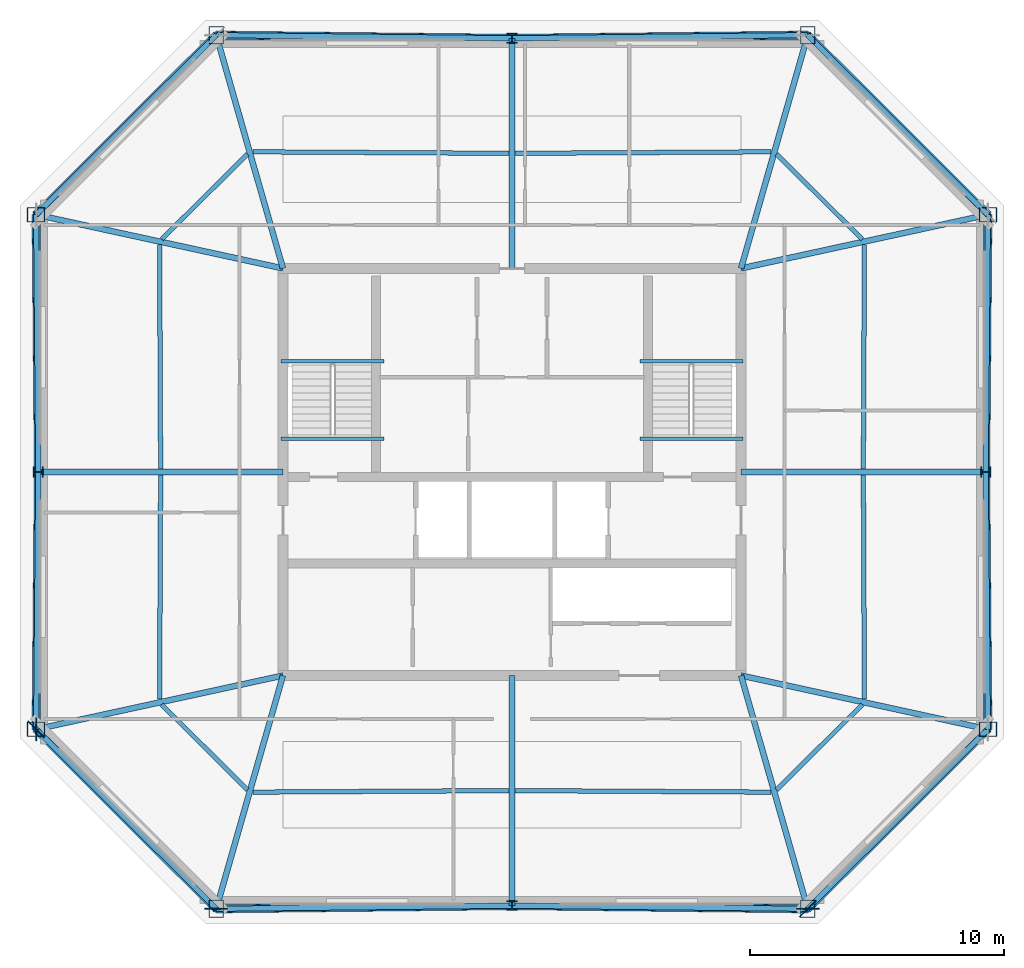
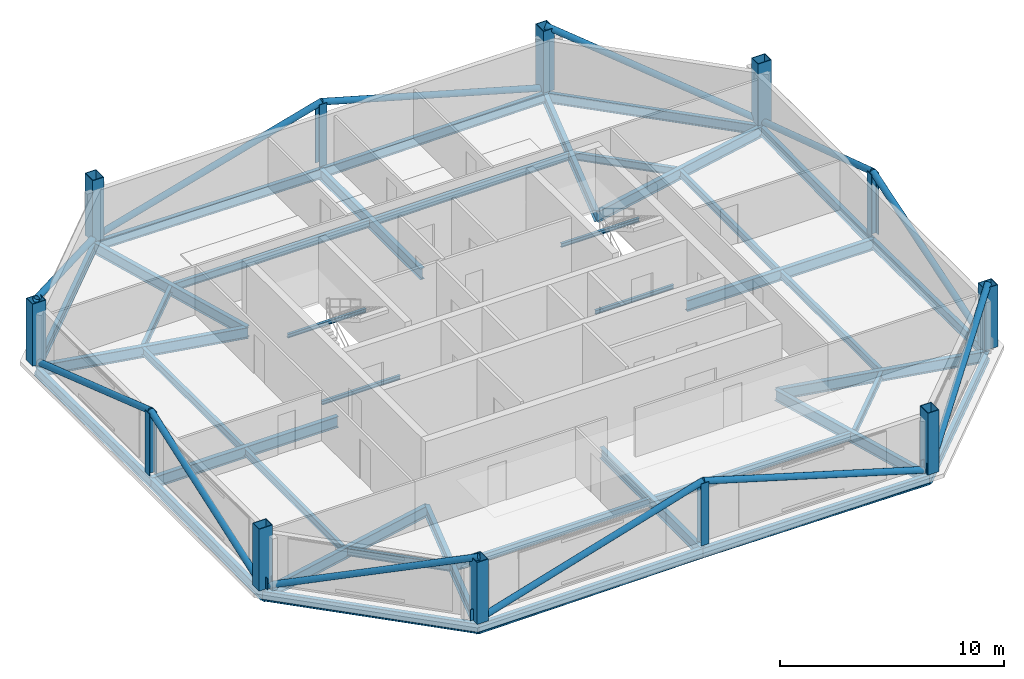
# One storey, part 1 of 6: 40 beams, 12 columns, 12 members, 5 plates.
"""IFC4 building model written with IfcOpenShell, lengths in metres."""

from ifc_helpers import new_model, si_unit, direction, frame, origin, origin_2d, place, context, subcontext, project, spatial, rectangle, hollow_rectangle, hollow_circle, i_section, extrude, material, layer, layer_set, material_profile, profile_set, type_object, element, save


model = new_model("IFC4")

# Units and contexts
model_context = context("Model", 3, precision=1e-05, world=origin(), true_north=direction((0.0, 1.0)))
body_context = subcontext(model_context, "Body", "Model", "MODEL_VIEW")
ifc_project = project(units=[si_unit("LENGTHUNIT", "METRE"), si_unit("AREAUNIT", "SQUARE_METRE"), si_unit("VOLUMEUNIT", "CUBIC_METRE"), si_unit("PLANEANGLEUNIT", "RADIAN"), si_unit("MASSUNIT", "GRAM", prefix="KILO")], contexts=[model_context])

# Site, building, storey
site_placement = place(None, origin())
site = spatial("IfcSite", under=ifc_project, at=site_placement, CompositionType="ELEMENT")
building_placement = place(site_placement, origin())
building = spatial("IfcBuilding", under=site, at=building_placement, Name="Caelvoria Tower", CompositionType="ELEMENT")
storey_placement = place(building_placement, frame((0.0, 0.0, 250.199951171875)))
storey = spatial("IfcBuildingStorey", under=building, at=storey_placement, Name="L66", CompositionType="ELEMENT", Elevation=250.199951171875)

# Columns
ifc_material_1 = material(Name="Structural Steel ASTM A572 Gr.50", Category="steel")
ifc_material_profile_1 = material_profile(ifc_material_1, hollow_rectangle(XDim=0.580078125, YDim=0.699951171875, WallThickness=0.031982421875, at=origin_2d()), Name="Structural Steel ASTM A572 Gr.50")
ifc_profile_set_1 = profile_set([ifc_material_profile_1], Name="BOX700X580X32 - Structural Steel ASTM A572 Gr.50")
column_type_1 = type_object("IfcColumnType", Name="Mega Box Column 700x580x32", PredefinedType="COLUMN", material=ifc_profile_set_1)
for number, where, z_axis, x_axis, name in (
    (1, (34.37646484375, 14.83251953125, 0.0), (0.0, 0.0, 1.0), (1.0, 0.0, 0.0), "Perimeter Megaframe Column L66-P00"),
    (2, (57.62353515625, 14.83251953125, 0.0), (0.0, 0.0, 1.0), (1.0, 0.0, 0.0), "Perimeter Megaframe Column L66-P02"),
    (3, (64.702880859375, 21.887939453125, 0.0), (0.0, 0.0, 1.0), (0.0, 1.0, 0.0), "Perimeter Megaframe Column L66-P03"),
    (4, (64.702880859375, 42.112060546875, 0.0), (0.0, 0.0, 1.0), (0.0, 1.0, 0.0), "Perimeter Megaframe Column L66-P05"),
    (5, (57.62353515625, 49.16748046875, 0.0), (0.0, 0.0, 1.0), (1.0, 0.0, 0.0), "Perimeter Megaframe Column L66-P06"),
    (6, (34.37646484375, 49.16748046875, 0.0), (0.0, 0.0, 1.0), (1.0, 0.0, 0.0), "Perimeter Megaframe Column L66-P08"),
    (7, (27.297119140625, 42.112060546875, 0.0), (0.0, 0.0, 1.0), (0.0, 1.0, 0.0), "Perimeter Megaframe Column L66-P09"),
    (8, (27.297119140625, 21.887939453125, 0.0), (0.0, 0.0, 1.0), (0.0, 1.0, 0.0), "Perimeter Megaframe Column L66-P11"),
):
    element("IfcColumn", number, at=place(storey_placement, frame(where, z_axis=z_axis, x_axis=x_axis)), inside=storey, type_object=column_type_1, Name=name, PredefinedType="COLUMN", context=body_context, shape_type="SweptSolid", body=[
        extrude(hollow_rectangle(XDim=0.580078125, YDim=0.699951171875, WallThickness=0.031982421875, at=origin_2d()), origin(), (0.0, 0.0, 1.0), 3.373046875),
    ])
ifc_material_2 = material(Name="Structural Steel ASTM A992 Gr.50", Category="steel")
ifc_material_profile_2 = material_profile(ifc_material_2, i_section(OverallWidth=0.39501953125, OverallDepth=0.3798828125, WebThickness=0.018798828125, FlangeThickness=0.0302734375, FilletRadius=0.02490234375, at=origin_2d()), Name="Structural Steel ASTM A992 Gr.50")
ifc_profile_set_2 = profile_set([ifc_material_profile_2], Name="W360X237 - Structural Steel ASTM A992 Gr.50")
column_type_2 = type_object("IfcColumnType", Name="Summit Frame Column W360X237", PredefinedType="COLUMN", material=ifc_profile_set_2)
for number, where, z_axis, x_axis, name in (
    (9, (46.0, 14.956298828125, 0.0), (0.0, 0.0, 1.0), (1.0, 0.0, 0.0), "Perimeter Megaframe Column L66-P01"),
    (10, (64.616455078125, 32.0, 0.0), (0.0, 0.0, 1.0), (0.0, 1.0, 0.0), "Perimeter Megaframe Column L66-P04"),
    (11, (46.0, 49.043701171875, 0.0), (0.0, 0.0, 1.0), (1.0, 0.0, 0.0), "Perimeter Megaframe Column L66-P07"),
    (12, (27.383544921875, 32.0, 0.0), (0.0, 0.0, 1.0), (0.0, 1.0, 0.0), "Perimeter Megaframe Column L66-P10"),
):
    element("IfcColumn", number, at=place(storey_placement, frame(where, z_axis=z_axis, x_axis=x_axis)), inside=storey, type_object=column_type_2, Name=name, PredefinedType="COLUMN", context=body_context, shape_type="SweptSolid", body=[
        extrude(i_section(OverallWidth=0.39501953125, OverallDepth=0.3798828125, WebThickness=0.018798828125, FlangeThickness=0.0302734375, FilletRadius=0.02490234375, at=origin_2d()), origin(), (0.0, 0.0, 1.0), 3.373046875),
    ])

# Beams
ifc_material_profile_3 = material_profile(ifc_material_2, i_section(OverallWidth=0.134033203125, OverallDepth=0.2099609375, WebThickness=0.00634765625, FlangeThickness=0.01025390625, FilletRadius=0.010009765625, at=origin_2d()), Name="Structural Steel ASTM A992 Gr.50")
ifc_profile_set_3 = profile_set([ifc_material_profile_3], Name="W200X31.3 - Structural Steel ASTM A992 Gr.50")
beam_type_1 = type_object("IfcBeamType", Name="Canopy Edge Trim Beam W200X31.3", PredefinedType="BEAM", material=ifc_profile_set_3)
for number, where, z_axis, x_axis, name in (
    (13, (36.929931640625, 36.35009765625, 1.4951171875), (1.0, 0.0, 0.0), (0.0, 1.0, 0.0), "ST-01 Half-Landing Support Beam L66"),
    (14, (36.929931640625, 33.300048828125, -0.304931640625), (1.0, 0.0, 0.0), (0.0, 1.0, 0.0), "ST-01 Floor-Landing Support Beam L66"),
    (15, (51.030029296875, 36.35009765625, 1.4951171875), (1.0, 0.0, 0.0), (0.0, 1.0, 0.0), "ST-02 Half-Landing Support Beam L66"),
    (16, (51.030029296875, 33.300048828125, -0.304931640625), (1.0, 0.0, 0.0), (0.0, 1.0, 0.0), "ST-02 Floor-Landing Support Beam L66"),
):
    element("IfcBeam", number, at=place(storey_placement, frame(where, z_axis=z_axis, x_axis=x_axis)), inside=storey, type_object=beam_type_1, Name=name, PredefinedType="BEAM", context=body_context, shape_type="SweptSolid", body=[
        extrude(i_section(OverallWidth=0.134033203125, OverallDepth=0.2099609375, WebThickness=0.00634765625, FlangeThickness=0.01025390625, FilletRadius=0.010009765625, at=origin_2d()), origin(), (0.0, 0.0, 1.0), 4.0400390625),
    ])
ifc_material_profile_4 = material_profile(ifc_material_2, i_section(OverallWidth=0.22802734375, OverallDepth=0.60302734375, WebThickness=0.010498046875, FlangeThickness=0.014892578125, FilletRadius=0.01806640625, at=origin_2d()), Name="Structural Steel ASTM A992 Gr.50")
ifc_profile_set_4 = profile_set([ifc_material_profile_4], Name="W610X101 - Structural Steel ASTM A992 Gr.50")
beam_type_2 = type_object("IfcBeamType", Name="Primary Floor Girder W610X101", PredefinedType="BEAM", material=ifc_profile_set_4)
beam_1_placement = place(storey_placement, frame((37.0, 24.0, -0.5263671875), z_axis=(-0.275133654786, -0.961405987086, 0.0), x_axis=(0.961405987086, -0.275133654786, 0.0)))
element("IfcBeam", 17, at=beam_1_placement, inside=storey, type_object=beam_type_2, Name="Primary Floor Girder L66-00", PredefinedType="BEAM", context=body_context, shape_type="SweptSolid", body=[
    extrude(i_section(OverallWidth=0.22802734375, OverallDepth=0.60302734375, WebThickness=0.010498046875, FlangeThickness=0.014892578125, FilletRadius=0.01806640625, at=origin_2d()), origin(), (0.0, 0.0, 1.0), 9.535400390625),
])
beam_2_placement = place(storey_placement, frame((46.0, 24.0, -0.5263671875), z_axis=(0.0, -1.0, 0.0), x_axis=(1.0, 0.0, 0.0)))
element("IfcBeam", 18, at=beam_2_placement, inside=storey, type_object=beam_type_2, Name="Primary Floor Girder L66-01", PredefinedType="BEAM", context=body_context, shape_type="SweptSolid", body=[
    extrude(i_section(OverallWidth=0.22802734375, OverallDepth=0.60302734375, WebThickness=0.010498046875, FlangeThickness=0.014892578125, FilletRadius=0.01806640625, at=origin_2d()), origin(), (0.0, 0.0, 1.0), 9.043701171875),
])
beam_3_placement = place(storey_placement, frame((55.0, 24.0, -0.5263671875), z_axis=(0.275133654786, -0.961405987086, 0.0), x_axis=(0.961405987086, 0.275133654786, 0.0)))
element("IfcBeam", 19, at=beam_3_placement, inside=storey, type_object=beam_type_2, Name="Primary Floor Girder L66-02", PredefinedType="BEAM", context=body_context, shape_type="SweptSolid", body=[
    extrude(i_section(OverallWidth=0.22802734375, OverallDepth=0.60302734375, WebThickness=0.010498046875, FlangeThickness=0.014892578125, FilletRadius=0.01806640625, at=origin_2d()), origin(), (0.0, 0.0, 1.0), 9.535400390625),
])
beam_4_placement = place(storey_placement, frame((55.0, 24.0, -0.5263671875), z_axis=(0.977119079584, -0.212692981342, 0.0), x_axis=(0.212692981342, 0.977119079584, 0.0)))
element("IfcBeam", 20, at=beam_4_placement, inside=storey, type_object=beam_type_2, Name="Primary Floor Girder L66-03", PredefinedType="BEAM", context=body_context, shape_type="SweptSolid", body=[
    extrude(i_section(OverallWidth=0.22802734375, OverallDepth=0.60302734375, WebThickness=0.010498046875, FlangeThickness=0.014892578125, FilletRadius=0.01806640625, at=origin_2d()), origin(), (0.0, 0.0, 1.0), 9.93017578125),
])
beam_5_placement = place(storey_placement, frame((55.0, 32.0, -0.5263671875), z_axis=(1.0, 0.0, 0.0), x_axis=(0.0, 1.0, 0.0)))
element("IfcBeam", 21, at=beam_5_placement, inside=storey, type_object=beam_type_2, Name="Primary Floor Girder L66-04", PredefinedType="BEAM", context=body_context, shape_type="SweptSolid", body=[
    extrude(i_section(OverallWidth=0.22802734375, OverallDepth=0.60302734375, WebThickness=0.010498046875, FlangeThickness=0.014892578125, FilletRadius=0.01806640625, at=origin_2d()), origin(), (0.0, 0.0, 1.0), 9.616455078125),
])
beam_6_placement = place(storey_placement, frame((55.0, 40.0, -0.5263671875), z_axis=(0.977119079584, 0.212692981342, 0.0), x_axis=(-0.212692981342, 0.977119079584, 0.0)))
element("IfcBeam", 22, at=beam_6_placement, inside=storey, type_object=beam_type_2, Name="Primary Floor Girder L66-05", PredefinedType="BEAM", context=body_context, shape_type="SweptSolid", body=[
    extrude(i_section(OverallWidth=0.22802734375, OverallDepth=0.60302734375, WebThickness=0.010498046875, FlangeThickness=0.014892578125, FilletRadius=0.01806640625, at=origin_2d()), origin(), (0.0, 0.0, 1.0), 9.93017578125),
])
beam_7_placement = place(storey_placement, frame((55.0, 40.0, -0.5263671875), z_axis=(0.275133654786, 0.961405987086, 0.0), x_axis=(-0.961405987086, 0.275133654786, 0.0)))
element("IfcBeam", 23, at=beam_7_placement, inside=storey, type_object=beam_type_2, Name="Primary Floor Girder L66-06", PredefinedType="BEAM", context=body_context, shape_type="SweptSolid", body=[
    extrude(i_section(OverallWidth=0.22802734375, OverallDepth=0.60302734375, WebThickness=0.010498046875, FlangeThickness=0.014892578125, FilletRadius=0.01806640625, at=origin_2d()), origin(), (0.0, 0.0, 1.0), 9.535400390625),
])
beam_8_placement = place(storey_placement, frame((46.0, 40.0, -0.5263671875), z_axis=(0.0, 1.0, 0.0), x_axis=(-1.0, 0.0, 0.0)))
element("IfcBeam", 24, at=beam_8_placement, inside=storey, type_object=beam_type_2, Name="Primary Floor Girder L66-07", PredefinedType="BEAM", context=body_context, shape_type="SweptSolid", body=[
    extrude(i_section(OverallWidth=0.22802734375, OverallDepth=0.60302734375, WebThickness=0.010498046875, FlangeThickness=0.014892578125, FilletRadius=0.01806640625, at=origin_2d()), origin(), (0.0, 0.0, 1.0), 9.043701171875),
])
beam_9_placement = place(storey_placement, frame((37.0, 40.0, -0.5263671875), z_axis=(-0.275133654786, 0.961405987086, 0.0), x_axis=(-0.961405987086, -0.275133654786, 0.0)))
element("IfcBeam", 25, at=beam_9_placement, inside=storey, type_object=beam_type_2, Name="Primary Floor Girder L66-08", PredefinedType="BEAM", context=body_context, shape_type="SweptSolid", body=[
    extrude(i_section(OverallWidth=0.22802734375, OverallDepth=0.60302734375, WebThickness=0.010498046875, FlangeThickness=0.014892578125, FilletRadius=0.01806640625, at=origin_2d()), origin(), (0.0, 0.0, 1.0), 9.535400390625),
])
beam_10_placement = place(storey_placement, frame((37.0, 40.0, -0.5263671875), z_axis=(-0.977119079584, 0.212692981342, 0.0), x_axis=(-0.212692981342, -0.977119079584, 0.0)))
element("IfcBeam", 26, at=beam_10_placement, inside=storey, type_object=beam_type_2, Name="Primary Floor Girder L66-09", PredefinedType="BEAM", context=body_context, shape_type="SweptSolid", body=[
    extrude(i_section(OverallWidth=0.22802734375, OverallDepth=0.60302734375, WebThickness=0.010498046875, FlangeThickness=0.014892578125, FilletRadius=0.01806640625, at=origin_2d()), origin(), (0.0, 0.0, 1.0), 9.93017578125),
])
beam_11_placement = place(storey_placement, frame((37.0, 32.0, -0.5263671875), z_axis=(-1.0, 0.0, 0.0), x_axis=(0.0, -1.0, 0.0)))
element("IfcBeam", 27, at=beam_11_placement, inside=storey, type_object=beam_type_2, Name="Primary Floor Girder L66-10", PredefinedType="BEAM", context=body_context, shape_type="SweptSolid", body=[
    extrude(i_section(OverallWidth=0.22802734375, OverallDepth=0.60302734375, WebThickness=0.010498046875, FlangeThickness=0.014892578125, FilletRadius=0.01806640625, at=origin_2d()), origin(), (0.0, 0.0, 1.0), 9.616455078125),
])
beam_12_placement = place(storey_placement, frame((37.0, 24.0, -0.5263671875), z_axis=(-0.977119079584, -0.212692981342, 0.0), x_axis=(0.212692981342, -0.977119079584, 0.0)))
element("IfcBeam", 28, at=beam_12_placement, inside=storey, type_object=beam_type_2, Name="Primary Floor Girder L66-11", PredefinedType="BEAM", context=body_context, shape_type="SweptSolid", body=[
    extrude(i_section(OverallWidth=0.22802734375, OverallDepth=0.60302734375, WebThickness=0.010498046875, FlangeThickness=0.014892578125, FilletRadius=0.01806640625, at=origin_2d()), origin(), (0.0, 0.0, 1.0), 9.93017578125),
])
ifc_material_profile_5 = material_profile(ifc_material_2, i_section(OverallWidth=0.177978515625, OverallDepth=0.406982421875, WebThickness=0.0078125, FlangeThickness=0.0126953125, FilletRadius=0.013916015625, at=origin_2d()), Name="Structural Steel ASTM A992 Gr.50")
ifc_profile_set_5 = profile_set([ifc_material_profile_5], Name="W410X60 - Structural Steel ASTM A992 Gr.50")
beam_type_3 = type_object("IfcBeamType", Name="Secondary Floor Beam W410X60", PredefinedType="BEAM", material=ifc_profile_set_5)
for number, where, z_axis, x_axis, name in (
    (29, (35.813232421875, 19.4169921875, -0.428466796875), (0.999982040934, 0.005993146922, 0.0), (-0.005993146922, 0.999982040934, 0.0), "Secondary Floor Beam L66-00"),
    (30, (46.125, 19.477294921875, -0.428466796875), (0.999982040934, -0.005993146922, 0.0), (0.005993146922, 0.999982040934, 0.0), "Secondary Floor Beam L66-01"),
):
    element("IfcBeam", number, at=place(storey_placement, frame(where, z_axis=z_axis, x_axis=x_axis)), inside=storey, type_object=beam_type_3, Name=name, PredefinedType="BEAM", context=body_context, shape_type="SweptSolid", body=[
        extrude(i_section(OverallWidth=0.177978515625, OverallDepth=0.406982421875, WebThickness=0.0078125, FlangeThickness=0.0126953125, FilletRadius=0.013916015625, at=origin_2d()), origin(), (0.0, 0.0, 1.0), 10.06201171875),
    ])
beam_13_placement = place(storey_placement, frame((56.400390625, 19.50439453125, -0.428466796875), z_axis=(0.708288587083, 0.705922996798, 0.0), x_axis=(-0.705922996798, 0.708288587083, 0.0)))
element("IfcBeam", 31, at=beam_13_placement, inside=storey, type_object=beam_type_3, Name="Secondary Floor Beam L66-02", PredefinedType="BEAM", context=body_context, shape_type="SweptSolid", body=[
    extrude(i_section(OverallWidth=0.177978515625, OverallDepth=0.406982421875, WebThickness=0.0078125, FlangeThickness=0.0126953125, FilletRadius=0.013916015625, at=origin_2d()), origin(), (0.0, 0.0, 1.0), 4.747314453125),
])
for number, where, z_axis, x_axis, name in (
    (32, (59.850830078125, 23.069091796875, -0.428466796875), (-0.00476858367, 0.99998863024, 0.0), (-0.99998863024, -0.00476858367, 0.0), "Secondary Floor Beam L66-03"),
    (33, (59.808837890625, 32.125, -0.428466796875), (0.00476858367, 0.99998863024, 0.0), (-0.99998863024, 0.00476858367, 0.0), "Secondary Floor Beam L66-04"),
):
    element("IfcBeam", number, at=place(storey_placement, frame(where, z_axis=z_axis, x_axis=x_axis)), inside=storey, type_object=beam_type_3, Name=name, PredefinedType="BEAM", context=body_context, shape_type="SweptSolid", body=[
        extrude(i_section(OverallWidth=0.177978515625, OverallDepth=0.406982421875, WebThickness=0.0078125, FlangeThickness=0.0126953125, FilletRadius=0.013916015625, at=origin_2d()), origin(), (0.0, 0.0, 1.0), 8.805908203125),
    ])
beam_14_placement = place(storey_placement, frame((59.762939453125, 41.144287109375, -0.428466796875), z_axis=(-0.708288587083, 0.705922996798, 0.0), x_axis=(-0.705922996798, -0.708288587083, 0.0)))
element("IfcBeam", 34, at=beam_14_placement, inside=storey, type_object=beam_type_3, Name="Secondary Floor Beam L66-05", PredefinedType="BEAM", context=body_context, shape_type="SweptSolid", body=[
    extrude(i_section(OverallWidth=0.177978515625, OverallDepth=0.406982421875, WebThickness=0.0078125, FlangeThickness=0.0126953125, FilletRadius=0.013916015625, at=origin_2d()), origin(), (0.0, 0.0, 1.0), 4.747314453125),
])
for number, where, z_axis, x_axis, name in (
    (35, (56.186767578125, 44.5830078125, -0.428466796875), (-0.999982040934, -0.005993146922, 0.0), (0.005993146922, -0.999982040934, 0.0), "Secondary Floor Beam L66-06"),
    (36, (45.875, 44.522705078125, -0.428466796875), (-0.999982040934, 0.005993146922, 0.0), (-0.005993146922, -0.999982040934, 0.0), "Secondary Floor Beam L66-07"),
):
    element("IfcBeam", number, at=place(storey_placement, frame(where, z_axis=z_axis, x_axis=x_axis)), inside=storey, type_object=beam_type_3, Name=name, PredefinedType="BEAM", context=body_context, shape_type="SweptSolid", body=[
        extrude(i_section(OverallWidth=0.177978515625, OverallDepth=0.406982421875, WebThickness=0.0078125, FlangeThickness=0.0126953125, FilletRadius=0.013916015625, at=origin_2d()), origin(), (0.0, 0.0, 1.0), 10.06201171875),
    ])
beam_15_placement = place(storey_placement, frame((35.599609375, 44.49560546875, -0.428466796875), z_axis=(-0.708288587083, -0.705922996798, 0.0), x_axis=(0.705922996798, -0.708288587083, 0.0)))
element("IfcBeam", 37, at=beam_15_placement, inside=storey, type_object=beam_type_3, Name="Secondary Floor Beam L66-08", PredefinedType="BEAM", context=body_context, shape_type="SweptSolid", body=[
    extrude(i_section(OverallWidth=0.177978515625, OverallDepth=0.406982421875, WebThickness=0.0078125, FlangeThickness=0.0126953125, FilletRadius=0.013916015625, at=origin_2d()), origin(), (0.0, 0.0, 1.0), 4.747314453125),
])
for number, where, z_axis, x_axis, name in (
    (38, (32.149169921875, 40.930908203125, -0.428466796875), (0.00476858367, -0.99998863024, 0.0), (0.99998863024, 0.00476858367, 0.0), "Secondary Floor Beam L66-09"),
    (39, (32.191162109375, 31.875, -0.428466796875), (-0.00476858367, -0.99998863024, 0.0), (0.99998863024, -0.00476858367, 0.0), "Secondary Floor Beam L66-10"),
):
    element("IfcBeam", number, at=place(storey_placement, frame(where, z_axis=z_axis, x_axis=x_axis)), inside=storey, type_object=beam_type_3, Name=name, PredefinedType="BEAM", context=body_context, shape_type="SweptSolid", body=[
        extrude(i_section(OverallWidth=0.177978515625, OverallDepth=0.406982421875, WebThickness=0.0078125, FlangeThickness=0.0126953125, FilletRadius=0.013916015625, at=origin_2d()), origin(), (0.0, 0.0, 1.0), 8.805908203125),
    ])
beam_16_placement = place(storey_placement, frame((32.237060546875, 22.855712890625, -0.428466796875), z_axis=(0.708288587083, -0.705922996798, 0.0), x_axis=(0.705922996798, 0.708288587083, 0.0)))
element("IfcBeam", 40, at=beam_16_placement, inside=storey, type_object=beam_type_3, Name="Secondary Floor Beam L66-11", PredefinedType="BEAM", context=body_context, shape_type="SweptSolid", body=[
    extrude(i_section(OverallWidth=0.177978515625, OverallDepth=0.406982421875, WebThickness=0.0078125, FlangeThickness=0.0126953125, FilletRadius=0.013916015625, at=origin_2d()), origin(), (0.0, 0.0, 1.0), 4.747314453125),
])

# Members
ifc_material_profile_6 = material_profile(ifc_material_1, hollow_circle(Radius=0.162109375, WallThickness=0.0126953125, at=origin_2d()), Name="Structural Steel ASTM A572 Gr.50")
ifc_profile_set_6 = profile_set([ifc_material_profile_6], Name="CHS324X12.7 - Structural Steel ASTM A572 Gr.50")
member_type = type_object("IfcMemberType", Name="Summit Perimeter Mega Brace CHS324X12.7", PredefinedType="BRACE", material=ifc_profile_set_6)
for number, where, z_axis, x_axis, name in (
    (41, (57.62353515625, 14.83251953125, 0.0), (0.671075629118, 0.668807621681, 0.319927906229), (-0.705908857083, 0.708302679291, 0.0), "Perimeter Chamfer Mega Brace L66 SE"),
    (42, (64.702880859375, 42.112060546875, 0.0), (-0.671075629118, 0.668807621681, 0.319927906229), (-0.705908857083, -0.708302679291, 0.0), "Perimeter Chamfer Mega Brace L66 NE"),
    (43, (34.37646484375, 49.16748046875, 0.0), (-0.671075629118, -0.668807621681, 0.319927906229), (0.705908857083, -0.708302679291, 0.0), "Perimeter Chamfer Mega Brace L66 NW"),
    (44, (27.297119140625, 21.887939453125, 0.0), (0.671075629118, -0.668807621681, 0.319927906229), (0.705908857083, 0.708302679291, 0.0), "Perimeter Chamfer Mega Brace L66 SW"),
):
    element("IfcMember", number, at=place(storey_placement, frame(where, z_axis=z_axis, x_axis=x_axis)), inside=storey, type_object=member_type, Name=name, PredefinedType="BRACE", context=body_context, shape_type="SweptSolid", body=[
        extrude(hollow_circle(Radius=0.162109375, WallThickness=0.0126953125, at=origin_2d()), origin(), (0.0, 0.0, 1.0), 10.54931640625),
    ])
for number, where, z_axis, x_axis, name in (
    (45, (34.37646484375, 14.83251953125, 0.0), (0.960286604116, 0.010226114436, 0.278828019645), (-0.010648419557, 0.999943303973, 0.0), "Perimeter Cardinal Mega Brace L66 SA"),
    (46, (57.62353515625, 14.83251953125, 0.0), (-0.960286604116, 0.010226114436, 0.278828019645), (-0.010648419557, -0.999943303973, 0.0), "Perimeter Cardinal Mega Brace L66 SB"),
):
    element("IfcMember", number, at=place(storey_placement, frame(where, z_axis=z_axis, x_axis=x_axis)), inside=storey, type_object=member_type, Name=name, PredefinedType="BRACE", context=body_context, shape_type="SweptSolid", body=[
        extrude(hollow_circle(Radius=0.162109375, WallThickness=0.0126953125, at=origin_2d()), origin(), (0.0, 0.0, 1.0), 12.104248046875),
    ])
for number, where, z_axis, x_axis, name in (
    (47, (64.702880859375, 21.887939453125, 0.0), (-0.008106904082, 0.948530678473, 0.316581474666), (-0.999963478087, -0.008546490047, 0.0), "Perimeter Cardinal Mega Brace L66 EA"),
    (48, (64.702880859375, 42.112060546875, 0.0), (-0.008106904082, -0.948530678473, 0.316581474666), (0.999963478087, -0.008546490047, 0.0), "Perimeter Cardinal Mega Brace L66 EB"),
):
    element("IfcMember", number, at=place(storey_placement, frame(where, z_axis=z_axis, x_axis=x_axis)), inside=storey, type_object=member_type, Name=name, PredefinedType="BRACE", context=body_context, shape_type="SweptSolid", body=[
        extrude(hollow_circle(Radius=0.162109375, WallThickness=0.0126953125, at=origin_2d()), origin(), (0.0, 0.0, 1.0), 10.66064453125),
    ])
for number, where, z_axis, x_axis, name in (
    (49, (57.62353515625, 49.16748046875, 0.0), (-0.960286604116, -0.010226114436, 0.278828019645), (0.010648419557, -0.999943303973, 0.0), "Perimeter Cardinal Mega Brace L66 NA"),
    (50, (34.37646484375, 49.16748046875, 0.0), (0.960286604116, -0.010226114436, 0.278828019645), (0.010648419557, 0.999943303973, 0.0), "Perimeter Cardinal Mega Brace L66 NB"),
):
    element("IfcMember", number, at=place(storey_placement, frame(where, z_axis=z_axis, x_axis=x_axis)), inside=storey, type_object=member_type, Name=name, PredefinedType="BRACE", context=body_context, shape_type="SweptSolid", body=[
        extrude(hollow_circle(Radius=0.162109375, WallThickness=0.0126953125, at=origin_2d()), origin(), (0.0, 0.0, 1.0), 12.104248046875),
    ])
for number, where, z_axis, x_axis, name in (
    (51, (27.297119140625, 42.112060546875, 0.0), (0.008106904082, -0.948530678473, 0.316581474666), (0.999963478087, 0.008546490047, 0.0), "Perimeter Cardinal Mega Brace L66 WA"),
    (52, (27.297119140625, 21.887939453125, 0.0), (0.008106904082, 0.948530678473, 0.316581474666), (-0.999963478087, 0.008546490047, 0.0), "Perimeter Cardinal Mega Brace L66 WB"),
):
    element("IfcMember", number, at=place(storey_placement, frame(where, z_axis=z_axis, x_axis=x_axis)), inside=storey, type_object=member_type, Name=name, PredefinedType="BRACE", context=body_context, shape_type="SweptSolid", body=[
        extrude(hollow_circle(Radius=0.162109375, WallThickness=0.0126953125, at=origin_2d()), origin(), (0.0, 0.0, 1.0), 10.66064453125),
    ])

# Beams
ifc_material_profile_7 = material_profile(ifc_material_2, i_section(OverallWidth=0.208984375, OverallDepth=0.532958984375, WebThickness=0.01025390625, FlangeThickness=0.015625, FilletRadius=0.01611328125, at=origin_2d()), Name="Structural Steel ASTM A992 Gr.50")
ifc_profile_set_7 = profile_set([ifc_material_profile_7], Name="W530X92 - Structural Steel ASTM A992 Gr.50")
beam_type_4 = type_object("IfcBeamType", Name="Upper Zone Spandrel W530X92", PredefinedType="BEAM", material=ifc_profile_set_7)
for number, where, z_axis, x_axis, name in (
    (53, (34.37646484375, 14.83251953125, -0.491455078125), (0.999943303973, 0.010648419557, 0.0), (-0.010648419557, 0.999943303973, 0.0), "Perimeter Spandrel Girder L66-00"),
    (54, (46.0, 14.956298828125, -0.491455078125), (0.999943303973, -0.010648419557, 0.0), (0.010648419557, 0.999943303973, 0.0), "Perimeter Spandrel Girder L66-01"),
):
    element("IfcBeam", number, at=place(storey_placement, frame(where, z_axis=z_axis, x_axis=x_axis)), inside=storey, type_object=beam_type_4, Name=name, PredefinedType="BEAM", context=body_context, shape_type="SweptSolid", body=[
        extrude(i_section(OverallWidth=0.208984375, OverallDepth=0.532958984375, WebThickness=0.01025390625, FlangeThickness=0.015625, FilletRadius=0.01611328125, at=origin_2d()), origin(), (0.0, 0.0, 1.0), 11.624267578125),
    ])
beam_17_placement = place(storey_placement, frame((57.62353515625, 14.83251953125, -0.491455078125), z_axis=(0.708302679291, 0.705908857083, 0.0), x_axis=(-0.705908857083, 0.708302679291, 0.0)))
element("IfcBeam", 55, at=beam_17_placement, inside=storey, type_object=beam_type_4, Name="Perimeter Spandrel Girder L66-02", PredefinedType="BEAM", context=body_context, shape_type="SweptSolid", body=[
    extrude(i_section(OverallWidth=0.208984375, OverallDepth=0.532958984375, WebThickness=0.01025390625, FlangeThickness=0.015625, FilletRadius=0.01611328125, at=origin_2d()), origin(), (0.0, 0.0, 1.0), 9.994873046875),
])
for number, where, z_axis, x_axis, name in (
    (56, (64.702880859375, 21.887939453125, -0.491455078125), (-0.008546490047, 0.999963478087, 0.0), (-0.999963478087, -0.008546490047, 0.0), "Perimeter Spandrel Girder L66-03"),
    (57, (64.616455078125, 32.0, -0.491455078125), (0.008546490047, 0.999963478087, 0.0), (-0.999963478087, 0.008546490047, 0.0), "Perimeter Spandrel Girder L66-04"),
):
    element("IfcBeam", number, at=place(storey_placement, frame(where, z_axis=z_axis, x_axis=x_axis)), inside=storey, type_object=beam_type_4, Name=name, PredefinedType="BEAM", context=body_context, shape_type="SweptSolid", body=[
        extrude(i_section(OverallWidth=0.208984375, OverallDepth=0.532958984375, WebThickness=0.01025390625, FlangeThickness=0.015625, FilletRadius=0.01611328125, at=origin_2d()), origin(), (0.0, 0.0, 1.0), 10.112548828125),
    ])
beam_18_placement = place(storey_placement, frame((64.702880859375, 42.112060546875, -0.491455078125), z_axis=(-0.708302679291, 0.705908857083, 0.0), x_axis=(-0.705908857083, -0.708302679291, 0.0)))
element("IfcBeam", 58, at=beam_18_placement, inside=storey, type_object=beam_type_4, Name="Perimeter Spandrel Girder L66-05", PredefinedType="BEAM", context=body_context, shape_type="SweptSolid", body=[
    extrude(i_section(OverallWidth=0.208984375, OverallDepth=0.532958984375, WebThickness=0.01025390625, FlangeThickness=0.015625, FilletRadius=0.01611328125, at=origin_2d()), origin(), (0.0, 0.0, 1.0), 9.994873046875),
])
for number, where, z_axis, x_axis, name in (
    (59, (57.62353515625, 49.16748046875, -0.491455078125), (-0.999943303973, -0.010648419557, 0.0), (0.010648419557, -0.999943303973, 0.0), "Perimeter Spandrel Girder L66-06"),
    (60, (46.0, 49.043701171875, -0.491455078125), (-0.999943303973, 0.010648419557, 0.0), (-0.010648419557, -0.999943303973, 0.0), "Perimeter Spandrel Girder L66-07"),
):
    element("IfcBeam", number, at=place(storey_placement, frame(where, z_axis=z_axis, x_axis=x_axis)), inside=storey, type_object=beam_type_4, Name=name, PredefinedType="BEAM", context=body_context, shape_type="SweptSolid", body=[
        extrude(i_section(OverallWidth=0.208984375, OverallDepth=0.532958984375, WebThickness=0.01025390625, FlangeThickness=0.015625, FilletRadius=0.01611328125, at=origin_2d()), origin(), (0.0, 0.0, 1.0), 11.624267578125),
    ])
beam_19_placement = place(storey_placement, frame((34.37646484375, 49.16748046875, -0.491455078125), z_axis=(-0.708302679291, -0.705908857083, 0.0), x_axis=(0.705908857083, -0.708302679291, 0.0)))
element("IfcBeam", 61, at=beam_19_placement, inside=storey, type_object=beam_type_4, Name="Perimeter Spandrel Girder L66-08", PredefinedType="BEAM", context=body_context, shape_type="SweptSolid", body=[
    extrude(i_section(OverallWidth=0.208984375, OverallDepth=0.532958984375, WebThickness=0.01025390625, FlangeThickness=0.015625, FilletRadius=0.01611328125, at=origin_2d()), origin(), (0.0, 0.0, 1.0), 9.994873046875),
])
for number, where, z_axis, x_axis, name in (
    (62, (27.297119140625, 42.112060546875, -0.491455078125), (0.008546490047, -0.999963478087, 0.0), (0.999963478087, 0.008546490047, 0.0), "Perimeter Spandrel Girder L66-09"),
    (63, (27.383544921875, 32.0, -0.491455078125), (-0.008546490047, -0.999963478087, 0.0), (0.999963478087, -0.008546490047, 0.0), "Perimeter Spandrel Girder L66-10"),
):
    element("IfcBeam", number, at=place(storey_placement, frame(where, z_axis=z_axis, x_axis=x_axis)), inside=storey, type_object=beam_type_4, Name=name, PredefinedType="BEAM", context=body_context, shape_type="SweptSolid", body=[
        extrude(i_section(OverallWidth=0.208984375, OverallDepth=0.532958984375, WebThickness=0.01025390625, FlangeThickness=0.015625, FilletRadius=0.01611328125, at=origin_2d()), origin(), (0.0, 0.0, 1.0), 10.112548828125),
    ])
beam_20_placement = place(storey_placement, frame((27.297119140625, 21.887939453125, -0.491455078125), z_axis=(0.708302679291, -0.705908857083, 0.0), x_axis=(0.705908857083, 0.708302679291, 0.0)))
element("IfcBeam", 64, at=beam_20_placement, inside=storey, type_object=beam_type_4, Name="Perimeter Spandrel Girder L66-11", PredefinedType="BEAM", context=body_context, shape_type="SweptSolid", body=[
    extrude(i_section(OverallWidth=0.208984375, OverallDepth=0.532958984375, WebThickness=0.01025390625, FlangeThickness=0.015625, FilletRadius=0.01611328125, at=origin_2d()), origin(), (0.0, 0.0, 1.0), 9.994873046875),
])

# Plates
ifc_layer = layer(ifc_material_1, 0.0400390625, Name="Structural Steel ASTM A572 Gr.50")
ifc_layer_set = layer_set([ifc_layer], Name="Megaframe Node Gusset Plate 900x600x40 - Structural Steel ASTM A572 Gr.50")
plate_type = type_object("IfcPlateType", Name="Megaframe Node Gusset Plate 900x600x40", PredefinedType="USERDEFINED", material=ifc_layer_set)
for number, where, z_axis, x_axis, name in (
    (65, (57.62353515625, 14.83251953125, 0.02001953125), (0.0, 0.0, 1.0), (0.708311501653, 0.705900004693, 0.0), "Chamfer Mega Brace Gusset L66 SE"),
    (66, (27.297119140625, 21.887939453125, 0.02001953125), (0.0, 0.0, 1.0), (0.708311501653, -0.705900004693, 0.0), "Chamfer Mega Brace Gusset L66 SW"),
    (67, (34.37646484375, 14.83251953125, 0.050048828125), (0.0, 0.0, 1.0), (0.999943289296, 0.010649797772, 0.0), "Megaframe Node Gusset Plate ND-01"),
    (68, (57.62353515625, 14.83251953125, 0.050048828125), (0.0, 0.0, 1.0), (-0.999943289296, 0.010649797772, 0.0), "Megaframe Node Gusset Plate ND-01"),
    (69, (27.297119140625, 21.887939453125, 0.050048828125), (0.0, 0.0, 1.0), (0.008564225944, 0.999963326345, 0.0), "Megaframe Node Gusset Plate ND-01"),
):
    element("IfcPlate", number, at=place(storey_placement, frame(where, z_axis=z_axis, x_axis=x_axis)), inside=storey, type_object=plate_type, Name=name, ObjectType="GUSSET_PLATE", PredefinedType="USERDEFINED", context=body_context, shape_type="SweptSolid", body=[
        extrude(rectangle(XDim=0.89990234375, YDim=0.0400390625, at=origin_2d()), origin(), (0.0, 0.0, 1.0), 0.60009765625),
    ])

save(model, "model.ifc")
